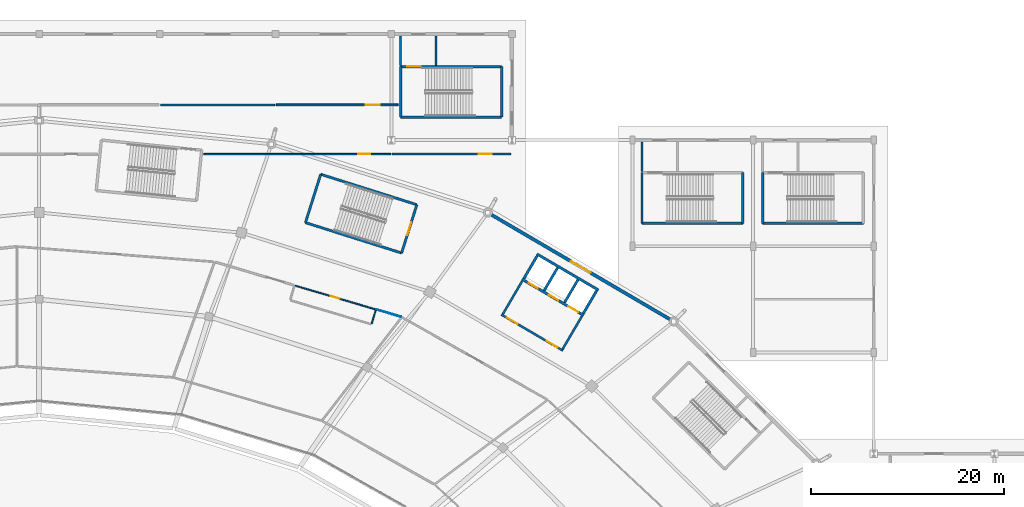
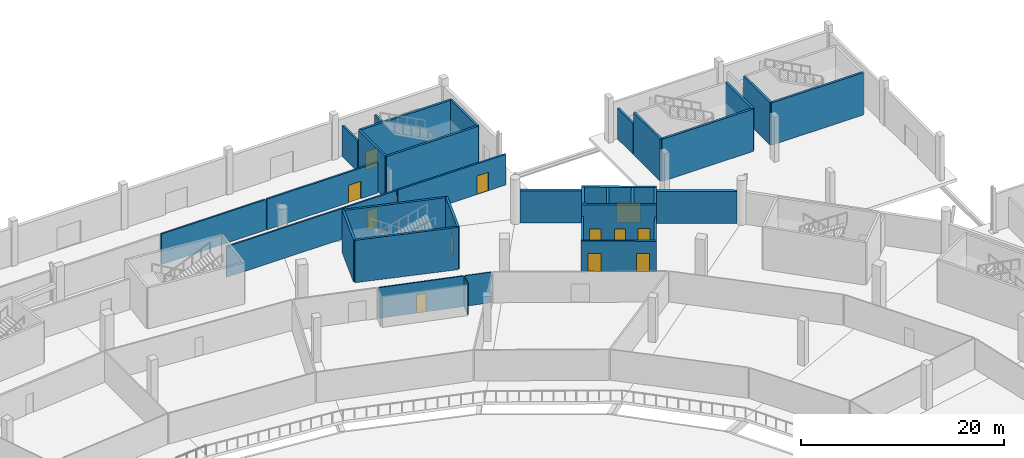
# One storey, part 52 of 82: 33 walls, 12 doors, 12 openings.
"""IFC4 building model written with IfcOpenShell, lengths in metres."""

from ifc_helpers import new_model, si_unit, direction, frame, frame_2d, origin, place, context, subcontext, project, spatial, rectangle, extrude, material, layer, layer_set, type_object, element, fill, save


model = new_model("IFC4")

# Units and contexts
model_context = context("Model", 3, precision=1e-05, world=origin(), true_north=direction((0.0, 1.0)))
body_context = subcontext(model_context, "Body", "Model", "MODEL_VIEW")
ifc_project = project(units=[si_unit("LENGTHUNIT", "METRE"), si_unit("AREAUNIT", "SQUARE_METRE"), si_unit("VOLUMEUNIT", "CUBIC_METRE"), si_unit("PLANEANGLEUNIT", "RADIAN"), si_unit("MASSUNIT", "GRAM", prefix="KILO")], contexts=[model_context])

# Site, building, storey
site_placement = place(None, origin())
site = spatial("IfcSite", under=ifc_project, at=site_placement, CompositionType="ELEMENT")
building_placement = place(site_placement, origin())
building = spatial("IfcBuilding", under=site, at=building_placement, Name="Zlatoyarsky Gate Stadium", CompositionType="ELEMENT")
storey_placement = place(building_placement, origin())
storey = spatial("IfcBuildingStorey", under=building, at=storey_placement, Name="L00", CompositionType="ELEMENT", Elevation=0.0)

# Wall, opening, door
ifc_material_1 = material(Name="Gypsum-clad mineral wool fire partition", Category="gypsum")
ifc_layer_1 = layer(ifc_material_1, 0.199951171875)
ifc_layer_set_1 = layer_set([ifc_layer_1], Name="Gypsum-clad mineral wool fire partition")
wall_type_1 = type_object("IfcWallType", Name="COMPARTMENT FIRE PARTITION WALL 200", PredefinedType="PARTITIONING", material=ifc_layer_set_1)
wall_1_placement = place(storey_placement, frame((147.5849609375, 147.550048828125, 0.0), z_axis=(0.0, 0.0, 1.0), x_axis=(1.0, 0.0, 0.0)))
wall_1 = element("IfcWall", 1, at=wall_1_placement, inside=storey, type_object=wall_type_1, Name="L00 interior partition PRT-L00-V2NC-SE3B", PredefinedType="PARTITIONING", context=body_context, shape_type="SweptSolid", body=[
    extrude(rectangle(XDim=12.31005859375, YDim=0.199951171875, at=frame_2d((6.155029296875, 0.0))), origin(), (0.0, 0.0, 1.0), 3.68994140625),
])
opening_1_placement = place(wall_1_placement, frame((8.9599609375, 0.0, 0.0)))
opening_1 = element("IfcOpeningElement", 2, at=opening_1_placement, cuts=wall_1, Name="Opening D-L00-190", PredefinedType="OPENING", context=body_context, shape_type="SweptSolid", body=[
    extrude(rectangle(XDim=1.340087890625, YDim=2.239990234375, at=frame_2d((0.669921875, 1.1201171875))), frame((0.0, 0.10986328125, 0.0), z_axis=(0.0, -1.0, 0.0), x_axis=(1.0, 0.0, 0.0)), (0.0, 0.0, 1.0), 0.219970703125),
])
ifc_material_2 = material(Name="Powder-coated steel fire door", Category="steel")
door_type_1 = type_object("IfcDoorType", Name="ACOUSTIC INTERIOR DOOR 1340X2240", OperationType="NOTDEFINED", PredefinedType="DOOR", material=ifc_material_2)
door_1_placement = place(opening_1_placement, origin())
door_1 = element("IfcDoor", 3, at=door_1_placement, inside=storey, type_object=door_type_1, Name="L00 room door D-L00-190", OperationType="SINGLE_SWING_RIGHT", OverallHeight=2.239990234375, OverallWidth=1.340087890625, PredefinedType="DOOR", context=body_context, shape_type="SweptSolid", body=[
    extrude(rectangle(XDim=1.340087890625, YDim=2.239990234375, at=frame_2d((0.669921875, 1.1201171875))), frame((0.0, 0.02490234375, 0.0), z_axis=(0.0, -1.0, 0.0), x_axis=(1.0, 0.0, 0.0)), (0.0, 0.0, 1.0), 0.050048828125),
])
fill(opening_1, door_1)

wall_2_placement = place(storey_placement, frame((135.5849609375, 152.64990234375, 0.0), z_axis=(0.0, 0.0, 1.0), x_axis=(1.0, 0.0, 0.0)))
wall_2 = element("IfcWall", 4, at=wall_2_placement, inside=storey, type_object=wall_type_1, Name="L00 interior partition PRT-L00-V2NC-N3_6", PredefinedType="PARTITIONING", context=body_context, shape_type="SweptSolid", body=[
    extrude(rectangle(XDim=12.630126953125, YDim=0.199951171875, at=frame_2d((6.31494140625, 0.0))), origin(), (0.0, 0.0, 1.0), 3.68994140625),
])
opening_2_placement = place(wall_2_placement, frame((9.280029296875, 0.0, 0.0)))
opening_2 = element("IfcOpeningElement", 5, at=opening_2_placement, cuts=wall_2, Name="Opening D-L00-196", PredefinedType="OPENING", context=body_context, shape_type="SweptSolid", body=[
    extrude(rectangle(XDim=1.43994140625, YDim=2.10009765625, at=frame_2d((0.719970703125, 1.050048828125))), frame((0.0, 0.10986328125, 0.0), z_axis=(0.0, -1.0, 0.0), x_axis=(1.0, 0.0, 0.0)), (0.0, 0.0, 1.0), 0.219970703125),
])
door_type_2 = type_object("IfcDoorType", Name="ACOUSTIC INTERIOR DOOR 1440X2100", OperationType="NOTDEFINED", PredefinedType="DOOR", material=ifc_material_2)
door_2_placement = place(opening_2_placement, origin())
door_2 = element("IfcDoor", 6, at=door_2_placement, inside=storey, type_object=door_type_2, Name="L00 room door D-L00-196", OperationType="SINGLE_SWING_RIGHT", OverallHeight=2.10009765625, OverallWidth=1.43994140625, PredefinedType="DOOR", context=body_context, shape_type="SweptSolid", body=[
    extrude(rectangle(XDim=1.43994140625, YDim=2.10009765625, at=frame_2d((0.719970703125, 1.050048828125))), frame((0.0, 0.02490234375, 0.0), z_axis=(0.0, -1.0, 0.0), x_axis=(1.0, 0.0, 0.0)), (0.0, 0.0, 1.0), 0.050048828125),
])
fill(opening_2, door_2)

# Walls
ifc_material_3 = material(Name="Concrete C40/50", Category="concrete")
ifc_layer_2 = layer(ifc_material_3, 0.27001953125)
ifc_layer_set_2 = layer_set([ifc_layer_2], Name="Concrete C40/50")
wall_type_2 = type_object("IfcWallType", Name="CONCRETE LIFT SHAFT SHEAR WALL 270", PredefinedType="SHEAR", material=ifc_layer_set_2)
wall_3_placement = place(storey_placement, frame((168.962646484375, 133.458984375, 0.0), z_axis=(0.0, 0.0, 1.0), x_axis=(-0.862865684113, 0.505433290534, 0.0)))
element("IfcWall", 7, at=wall_3_placement, inside=storey, type_object=wall_type_2, Name="C1 L00 lift shaft rear wall", PredefinedType="SHEAR", context=body_context, shape_type="SweptSolid", body=[
    extrude(rectangle(XDim=7.400146484375, YDim=0.27001953125, at=frame_2d((3.7001953125, 0.0))), origin(), (0.0, 0.0, 1.0), 5.10009765625),
])
for number, where, z_axis, x_axis, name in (
    (8, (168.772705078125, 133.402099609375, 0.0), (0.0, 0.0, 1.0), (-0.505465660416, -0.862846722275, 0.0), "C1 L00 lift shaft left wall"),
    (9, (162.62060546875, 137.006103515625, 0.0), (0.0, 0.0, 1.0), (-0.505465660416, -0.862846722275, 0.0), "C1 L00 lift shaft right wall"),
):
    element("IfcWall", number, at=place(storey_placement, frame(where, z_axis=z_axis, x_axis=x_axis)), inside=storey, type_object=wall_type_2, Name=name, PredefinedType="SHEAR", context=body_context, shape_type="SweptSolid", body=[
        extrude(rectangle(XDim=2.739990234375, YDim=0.27001953125, at=frame_2d((1.3701171875, 0.0))), origin(), (0.0, 0.0, 1.0), 5.10009765625),
    ])
wall_4_placement = place(storey_placement, frame((166.840087890625, 134.5341796875, 0.0), z_axis=(0.0, 0.0, 1.0), x_axis=(-0.505504523015, -0.862823954936, 0.0)))
element("IfcWall", 10, at=wall_4_placement, inside=storey, type_object=wall_type_2, Name="C1 L00 lift shaft divider 1", PredefinedType="SHEAR", context=body_context, shape_type="SweptSolid", body=[
    extrude(rectangle(XDim=2.73974609375, YDim=0.27001953125, at=frame_2d((1.369873046875, 0.0))), origin(), (0.0, 0.0, 1.0), 5.10009765625),
])
wall_5_placement = place(storey_placement, frame((164.72607421875, 135.772705078125, 0.0), z_axis=(0.0, 0.0, 1.0), x_axis=(-0.505465660416, -0.862846722275, 0.0)))
element("IfcWall", 11, at=wall_5_placement, inside=storey, type_object=wall_type_2, Name="C1 L00 lift shaft divider 2", PredefinedType="SHEAR", context=body_context, shape_type="SweptSolid", body=[
    extrude(rectangle(XDim=2.739990234375, YDim=0.27001953125, at=frame_2d((1.3701171875, 0.0))), origin(), (0.0, 0.0, 1.0), 5.10009765625),
])

# Wall, openings, doors
wall_6_placement = place(storey_placement, frame((167.430908203125, 130.844482421875, 0.0), z_axis=(0.0, 0.0, 1.0), x_axis=(-0.862842866418, 0.505472242434, 0.0)))
wall_6 = element("IfcWall", 12, at=wall_6_placement, inside=storey, type_object=wall_type_2, Name="C1 L00 lift landing front wall", PredefinedType="SHEAR", context=body_context, shape_type="SweptSolid", body=[
    extrude(rectangle(XDim=7.39990234375, YDim=0.27001953125, at=frame_2d((3.699951171875, 0.0))), origin(), (0.0, 0.0, 1.0), 5.10009765625),
])
opening_3_placement = place(wall_6_placement, frame((0.64990234375, 0.0, 0.0)))
opening_3 = element("IfcOpeningElement", 13, at=opening_3_placement, cuts=wall_6, Name="Opening LD-FL-01-L00", PredefinedType="OPENING", context=body_context, shape_type="SweptSolid", body=[
    extrude(rectangle(XDim=1.199951171875, YDim=2.25, at=frame_2d((0.60009765625, 1.125))), frame((0.0, 0.14501953125, 0.0), z_axis=(0.0, -1.0, 0.0), x_axis=(1.0, 0.0, 0.0)), (0.0, 0.0, 1.0), 0.2900390625),
])
opening_4_placement = place(wall_6_placement, frame((3.050048828125, 0.0, 0.0)))
opening_4 = element("IfcOpeningElement", 14, at=opening_4_placement, cuts=wall_6, Name="Opening LD-LF-01-L00", PredefinedType="OPENING", context=body_context, shape_type="SweptSolid", body=[
    extrude(rectangle(XDim=1.10009765625, YDim=2.199951171875, at=frame_2d((0.550048828125, 1.10009765625))), frame((0.0, 0.14501953125, 0.0), z_axis=(0.0, -1.0, 0.0), x_axis=(1.0, 0.0, 0.0)), (0.0, 0.0, 1.0), 0.2900390625),
])
opening_5_placement = place(wall_6_placement, frame((5.5, 0.0, 0.0)))
opening_5 = element("IfcOpeningElement", 15, at=opening_5_placement, cuts=wall_6, Name="Opening LD-LF-02-L00", PredefinedType="OPENING", context=body_context, shape_type="SweptSolid", body=[
    extrude(rectangle(XDim=1.10009765625, YDim=2.199951171875, at=frame_2d((0.550048828125, 1.10009765625))), frame((0.0, 0.14501953125, 0.0), z_axis=(0.0, -1.0, 0.0), x_axis=(1.0, 0.0, 0.0)), (0.0, 0.0, 1.0), 0.2900390625),
])
door_type_3 = type_object("IfcDoorType", Name="STAINLESS LIFT LANDING SLIDING DOOR 1100X2200", OperationType="DOUBLE_DOOR_SLIDING", PredefinedType="DOOR", material=ifc_material_2)
door_3_placement = place(opening_4_placement, origin())
door_3 = element("IfcDoor", 16, at=door_3_placement, inside=storey, type_object=door_type_3, Name="Lift LF-01 L00 sliding landing door", OperationType="DOUBLE_DOOR_SLIDING", OverallHeight=2.199951171875, OverallWidth=1.10009765625, PredefinedType="DOOR", context=body_context, shape_type="SweptSolid", body=[
    extrude(rectangle(XDim=1.10009765625, YDim=2.199951171875, at=frame_2d((0.550048828125, 1.10009765625))), frame((0.0, 0.02490234375, 0.0), z_axis=(0.0, -1.0, 0.0), x_axis=(1.0, 0.0, 0.0)), (0.0, 0.0, 1.0), 0.050048828125),
])
fill(opening_4, door_3)
door_4_placement = place(opening_5_placement, origin())
door_4 = element("IfcDoor", 17, at=door_4_placement, inside=storey, type_object=door_type_3, Name="Lift LF-02 L00 sliding landing door", OperationType="DOUBLE_DOOR_SLIDING", OverallHeight=2.199951171875, OverallWidth=1.10009765625, PredefinedType="DOOR", context=body_context, shape_type="SweptSolid", body=[
    extrude(rectangle(XDim=1.10009765625, YDim=2.199951171875, at=frame_2d((0.550048828125, 1.10009765625))), frame((0.0, 0.02490234375, 0.0), z_axis=(0.0, -1.0, 0.0), x_axis=(1.0, 0.0, 0.0)), (0.0, 0.0, 1.0), 0.050048828125),
])
fill(opening_5, door_4)
door_type_4 = type_object("IfcDoorType", Name="STAINLESS LIFT LANDING SLIDING DOOR 1200X2250", OperationType="DOUBLE_DOOR_SLIDING", PredefinedType="DOOR", material=ifc_material_2)
door_5_placement = place(opening_3_placement, origin())
door_5 = element("IfcDoor", 18, at=door_5_placement, inside=storey, type_object=door_type_4, Name="Lift FL-01 L00 sliding landing door", OperationType="DOUBLE_DOOR_SLIDING", OverallHeight=2.25, OverallWidth=1.199951171875, PredefinedType="DOOR", context=body_context, shape_type="SweptSolid", body=[
    extrude(rectangle(XDim=1.199951171875, YDim=2.25, at=frame_2d((0.60009765625, 1.125))), frame((0.0, 0.02490234375, 0.0), z_axis=(0.0, -1.0, 0.0), x_axis=(1.0, 0.0, 0.0)), (0.0, 0.0, 1.0), 0.050048828125),
])
fill(opening_3, door_5)

# Wall, opening, door
ifc_layer_3 = layer(ifc_material_3, 0.25)
ifc_layer_set_3 = layer_set([ifc_layer_3], Name="Concrete C40/50")
wall_type_3 = type_object("IfcWallType", Name="CONCRETE STAIR CORE SHEAR WALL 250", PredefinedType="SHEAR", material=ifc_layer_set_3)
wall_7_placement = place(storey_placement, frame((148.563232421875, 137.30126953125, 0.0), z_axis=(0.0, 0.0, 1.0), x_axis=(0.30152749866, 0.953457480726, 0.0)))
wall_7 = element("IfcWall", 19, at=wall_7_placement, inside=storey, type_object=wall_type_3, Name="ST-03 L00 stair core entrance shear wall", PredefinedType="SHEAR", context=body_context, shape_type="SweptSolid", body=[
    extrude(rectangle(XDim=5.25, YDim=0.25, at=frame_2d((2.625, 0.0))), origin(), (0.0, 0.0, 1.0), 5.10009765625),
])
opening_6_placement = place(wall_7_placement, frame((1.925048828125, 0.0, 0.0)))
opening_6 = element("IfcOpeningElement", 20, at=opening_6_placement, cuts=wall_7, Name="Opening SD-ST-03-L00", PredefinedType="OPENING", context=body_context, shape_type="SweptSolid", body=[
    extrude(rectangle(XDim=1.39990234375, YDim=2.199951171875, at=frame_2d((0.699951171875, 1.10009765625))), frame((0.0, 0.135009765625, 0.0), z_axis=(0.0, -1.0, 0.0), x_axis=(1.0, 0.0, 0.0)), (0.0, 0.0, 1.0), 0.27001953125),
])
door_type_5 = type_object("IfcDoorType", Name="STAIR CORE FIRE EXIT DOOR 1400X2200", OperationType="NOTDEFINED", PredefinedType="DOOR", material=ifc_material_2)
door_6_placement = place(opening_6_placement, frame((1.39990234375, 0.0, 0.0), z_axis=(0.0, 0.0, 1.0), x_axis=(-1.0, 0.0, 0.0)))
door_6 = element("IfcDoor", 21, at=door_6_placement, inside=storey, type_object=door_type_5, Name="ST-03 L00 stair fire door", OperationType="SINGLE_SWING_LEFT", OverallHeight=2.199951171875, OverallWidth=1.39990234375, PredefinedType="DOOR", context=body_context, shape_type="SweptSolid", body=[
    extrude(rectangle(XDim=1.39990234375, YDim=2.199951171875, at=frame_2d((0.699951171875, 1.10009765625))), frame((0.0, 0.02490234375, 0.0), z_axis=(0.0, -1.0, 0.0), x_axis=(1.0, 0.0, 0.0)), (0.0, 0.0, 1.0), 0.050048828125),
])
fill(opening_6, door_6)

# Walls
wall_8_placement = place(storey_placement, frame((150.146240234375, 142.306884765625, 0.0), z_axis=(0.0, 0.0, 1.0), x_axis=(-0.953461834254, 0.301513732061, 0.0)))
element("IfcWall", 22, at=wall_8_placement, inside=storey, type_object=wall_type_3, Name="ST-03 L00 stair core left shear wall", PredefinedType="SHEAR", context=body_context, shape_type="SweptSolid", body=[
    extrude(rectangle(XDim=10.4501953125, YDim=0.25, at=frame_2d((5.22509765625, 0.0))), origin(), (0.0, 0.0, 1.0), 5.10009765625),
])
wall_9_placement = place(storey_placement, frame((140.182373046875, 145.457763671875, 0.0), z_axis=(0.0, 0.0, 1.0), x_axis=(-0.301485222482, -0.953470849384, 0.0)))
element("IfcWall", 23, at=wall_9_placement, inside=storey, type_object=wall_type_3, Name="ST-03 L00 stair core far shear wall", PredefinedType="SHEAR", context=body_context, shape_type="SweptSolid", body=[
    extrude(rectangle(XDim=5.25, YDim=0.25, at=frame_2d((2.625, 0.0))), origin(), (0.0, 0.0, 1.0), 5.10009765625),
])
wall_10_placement = place(storey_placement, frame((138.599609375, 140.4521484375, 0.0), z_axis=(0.0, 0.0, 1.0), x_axis=(0.953459710305, -0.301520448438, 0.0)))
element("IfcWall", 24, at=wall_10_placement, inside=storey, type_object=wall_type_3, Name="ST-03 L00 stair core right shear wall", PredefinedType="SHEAR", context=body_context, shape_type="SweptSolid", body=[
    extrude(rectangle(XDim=10.449951171875, YDim=0.25, at=frame_2d((5.22509765625, 0.0))), origin(), (0.0, 0.0, 1.0), 5.10009765625),
])
wall_11_placement = place(storey_placement, frame((173.47509765625, 145.625, 0.0), z_axis=(0.0, 0.0, 1.0), x_axis=(0.0, -1.0, 0.0)))
element("IfcWall", 25, at=wall_11_placement, inside=storey, type_object=wall_type_3, Name="ST-27 L00 stair core entrance shear wall", PredefinedType="SHEAR", context=body_context, shape_type="SweptSolid", body=[
    extrude(rectangle(XDim=5.25, YDim=0.25, at=frame_2d((2.625, 0.0))), origin(), (0.0, 0.0, 1.0), 5.10009765625),
])
wall_12_placement = place(storey_placement, frame((173.47509765625, 140.375, 0.0), z_axis=(0.0, 0.0, 1.0), x_axis=(1.0, 0.0, 0.0)))
element("IfcWall", 26, at=wall_12_placement, inside=storey, type_object=wall_type_3, Name="ST-27 L00 stair core left shear wall", PredefinedType="SHEAR", context=body_context, shape_type="SweptSolid", body=[
    extrude(rectangle(XDim=10.449951171875, YDim=0.25, at=frame_2d((5.22509765625, 0.0))), origin(), (0.0, 0.0, 1.0), 5.10009765625),
])
for number, where, z_axis, x_axis, name in (
    (27, (183.925048828125, 140.375, 0.0), (0.0, 0.0, 1.0), (0.0, 1.0, 0.0), "ST-27 L00 stair core far shear wall"),
    (28, (185.97509765625, 145.625, 0.0), (0.0, 0.0, 1.0), (0.0, -1.0, 0.0), "ST-28 L00 stair core entrance shear wall"),
):
    element("IfcWall", number, at=place(storey_placement, frame(where, z_axis=z_axis, x_axis=x_axis)), inside=storey, type_object=wall_type_3, Name=name, PredefinedType="SHEAR", context=body_context, shape_type="SweptSolid", body=[
        extrude(rectangle(XDim=5.25, YDim=0.25, at=frame_2d((2.625, 0.0))), origin(), (0.0, 0.0, 1.0), 5.10009765625),
    ])
wall_13_placement = place(storey_placement, frame((185.97509765625, 140.375, 0.0), z_axis=(0.0, 0.0, 1.0), x_axis=(1.0, 0.0, 0.0)))
element("IfcWall", 29, at=wall_13_placement, inside=storey, type_object=wall_type_3, Name="ST-28 L00 stair core left shear wall", PredefinedType="SHEAR", context=body_context, shape_type="SweptSolid", body=[
    extrude(rectangle(XDim=10.449951171875, YDim=0.25, at=frame_2d((5.22509765625, 0.0))), origin(), (0.0, 0.0, 1.0), 5.10009765625),
])
wall_14_placement = place(storey_placement, frame((148.47509765625, 156.625, 0.0), z_axis=(0.0, 0.0, 1.0), x_axis=(0.0, -1.0, 0.0)))
element("IfcWall", 30, at=wall_14_placement, inside=storey, type_object=wall_type_3, Name="ST-32 L00 stair core entrance shear wall", PredefinedType="SHEAR", context=body_context, shape_type="SweptSolid", body=[
    extrude(rectangle(XDim=5.25, YDim=0.25, at=frame_2d((2.625, 0.0))), origin(), (0.0, 0.0, 1.0), 5.10009765625),
])
wall_15_placement = place(storey_placement, frame((148.47509765625, 151.375, 0.0), z_axis=(0.0, 0.0, 1.0), x_axis=(1.0, 0.0, 0.0)))
element("IfcWall", 31, at=wall_15_placement, inside=storey, type_object=wall_type_3, Name="ST-32 L00 stair core left shear wall", PredefinedType="SHEAR", context=body_context, shape_type="SweptSolid", body=[
    extrude(rectangle(XDim=10.449951171875, YDim=0.25, at=frame_2d((5.22509765625, 0.0))), origin(), (0.0, 0.0, 1.0), 5.10009765625),
])
wall_16_placement = place(storey_placement, frame((158.925048828125, 151.375, 0.0), z_axis=(0.0, 0.0, 1.0), x_axis=(0.0, 1.0, 0.0)))
element("IfcWall", 32, at=wall_16_placement, inside=storey, type_object=wall_type_3, Name="ST-32 L00 stair core far shear wall", PredefinedType="SHEAR", context=body_context, shape_type="SweptSolid", body=[
    extrude(rectangle(XDim=5.25, YDim=0.25, at=frame_2d((2.625, 0.0))), origin(), (0.0, 0.0, 1.0), 5.10009765625),
])

# Wall, opening, door
wall_17_placement = place(storey_placement, frame((158.925048828125, 156.625, 0.0), z_axis=(0.0, 0.0, 1.0), x_axis=(-1.0, 0.0, 0.0)))
wall_17 = element("IfcWall", 33, at=wall_17_placement, inside=storey, type_object=wall_type_3, Name="ST-32 L00 stair core right shear wall", PredefinedType="SHEAR", context=body_context, shape_type="SweptSolid", body=[
    extrude(rectangle(XDim=10.449951171875, YDim=0.25, at=frame_2d((5.22509765625, 0.0))), origin(), (0.0, 0.0, 1.0), 5.10009765625),
])
opening_7_placement = place(wall_17_placement, frame((8.39990234375, 0.0, 0.0)))
opening_7 = element("IfcOpeningElement", 34, at=opening_7_placement, cuts=wall_17, Name="Opening SD-ST-32-L00", PredefinedType="OPENING", context=body_context, shape_type="SweptSolid", body=[
    extrude(rectangle(XDim=1.39990234375, YDim=2.199951171875, at=frame_2d((0.699951171875, 1.10009765625))), frame((0.0, 0.135009765625, 0.0), z_axis=(0.0, -1.0, 0.0), x_axis=(1.0, 0.0, 0.0)), (0.0, 0.0, 1.0), 0.27001953125),
])
door_7_placement = place(opening_7_placement, frame((1.39990234375, 0.0, 0.0), z_axis=(0.0, 0.0, 1.0), x_axis=(-1.0, 0.0, 0.0)))
door_7 = element("IfcDoor", 35, at=door_7_placement, inside=storey, type_object=door_type_5, Name="ST-32 L00 protected exit discharge fire door", OperationType="SINGLE_SWING_LEFT", OverallHeight=2.199951171875, OverallWidth=1.39990234375, PredefinedType="DOOR", context=body_context, shape_type="SweptSolid", body=[
    extrude(rectangle(XDim=1.39990234375, YDim=2.199951171875, at=frame_2d((0.699951171875, 1.10009765625))), frame((0.0, 0.02490234375, 0.0), z_axis=(0.0, -1.0, 0.0), x_axis=(1.0, 0.0, 0.0)), (0.0, 0.0, 1.0), 0.050048828125),
])
fill(opening_7, door_7)

# Walls
ifc_material_4 = material(Name="Autoclaved aerated concrete masonry EI 120", Category="masonry")
ifc_layer_4 = layer(ifc_material_4, 0.219970703125)
ifc_layer_set_4 = layer_set([ifc_layer_4], Name="Autoclaved aerated concrete masonry EI 120")
wall_type_4 = type_object("IfcWallType", Name="FIREFIGHTING LOBBY RATED WALL 220", PredefinedType="PARTITIONING", material=ifc_layer_set_4)
for number, where, z_axis, x_axis, name in (
    (36, (173.4599609375, 145.760009765625, 0.0), (0.0, 0.0, 1.0), (0.0, 1.0, 0.0), "ST-27 L00 protected exit lobby EI 120 wall 1"),
    (37, (148.4599609375, 156.760009765625, 0.0), (0.0, 0.0, 1.0), (0.0, 1.0, 0.0), "ST-32 L00 protected exit lobby EI 120 wall 1"),
    (38, (152.139892578125, 156.760009765625, 0.0), (0.0, 0.0, 1.0), (0.0, 1.0, 0.0), "ST-32 L00 protected exit lobby EI 120 wall 2"),
):
    element("IfcWall", number, at=place(storey_placement, frame(where, z_axis=z_axis, x_axis=x_axis)), inside=storey, type_object=wall_type_4, Name=name, PredefinedType="PARTITIONING", context=body_context, shape_type="SweptSolid", body=[
        extrude(rectangle(XDim=3.050048828125, YDim=0.219970703125, at=frame_2d((1.52490234375, 0.0))), origin(), (0.0, 0.0, 1.0), 3.68994140625),
    ])
for number, where, z_axis, x_axis, name in (
    (39, (167.2578125, 130.766357421875, 0.0), (0.0, 0.0, 1.0), (-0.505464443681, -0.862847435051, 0.0), "C1 L00 firefighting lobby left wall"),
    (40, (161.0625, 134.3955078125, 0.0), (0.0, 0.0, 1.0), (-0.505464443681, -0.862847435051, 0.0), "C1 L00 firefighting lobby right wall"),
):
    element("IfcWall", number, at=place(storey_placement, frame(where, z_axis=z_axis, x_axis=x_axis)), inside=storey, type_object=wall_type_4, Name=name, PredefinedType="PARTITIONING", context=body_context, shape_type="SweptSolid", body=[
        extrude(rectangle(XDim=3.97998046875, YDim=0.219970703125, at=frame_2d((1.989990234375, 0.0))), origin(), (0.0, 0.0, 1.0), 3.68994140625),
    ])

# Wall, openings, doors
wall_18_placement = place(storey_placement, frame((165.285400390625, 127.181640625, 0.0), z_axis=(0.0, 0.0, 1.0), x_axis=(-0.862851295616, 0.505457853488, 0.0)))
wall_18 = element("IfcWall", 41, at=wall_18_placement, inside=storey, type_object=wall_type_4, Name="C1 L00 firefighting lobby front wall", PredefinedType="PARTITIONING", context=body_context, shape_type="SweptSolid", body=[
    extrude(rectangle(XDim=7.400146484375, YDim=0.219970703125, at=frame_2d((3.7001953125, 0.0))), origin(), (0.0, 0.0, 1.0), 3.68994140625),
])
opening_8_placement = place(wall_18_placement, frame((0.64990234375, 0.0, 0.0)))
opening_8 = element("IfcOpeningElement", 42, at=opening_8_placement, cuts=wall_18, Name="Opening FD-C1-L00-A", PredefinedType="OPENING", context=body_context, shape_type="SweptSolid", body=[
    extrude(rectangle(XDim=1.300048828125, YDim=2.199951171875, at=frame_2d((0.64990234375, 1.10009765625))), frame((0.0, 0.119873046875, 0.0), z_axis=(0.0, -1.0, 0.0), x_axis=(1.0, 0.0, 0.0)), (0.0, 0.0, 1.0), 0.239990234375),
])
opening_9_placement = place(wall_18_placement, frame((5.449951171875, 0.0, 0.0)))
opening_9 = element("IfcOpeningElement", 43, at=opening_9_placement, cuts=wall_18, Name="Opening FD-C1-L00-B", PredefinedType="OPENING", context=body_context, shape_type="SweptSolid", body=[
    extrude(rectangle(XDim=1.300048828125, YDim=2.199951171875, at=frame_2d((0.64990234375, 1.10009765625))), frame((0.0, 0.119873046875, 0.0), z_axis=(0.0, -1.0, 0.0), x_axis=(1.0, 0.0, 0.0)), (0.0, 0.0, 1.0), 0.239990234375),
])
door_type_6 = type_object("IfcDoorType", Name="FIREFIGHTING LOBBY FIRE DOOR 1300X2200", OperationType="NOTDEFINED", PredefinedType="DOOR", material=ifc_material_2)
door_8_placement = place(opening_8_placement, origin())
door_8 = element("IfcDoor", 44, at=door_8_placement, inside=storey, type_object=door_type_6, Name="C1 L00 firefighting lobby fire door FD-C1-L00-A", OperationType="SINGLE_SWING_LEFT", OverallHeight=2.199951171875, OverallWidth=1.300048828125, PredefinedType="DOOR", context=body_context, shape_type="SweptSolid", body=[
    extrude(rectangle(XDim=1.300048828125, YDim=2.199951171875, at=frame_2d((0.64990234375, 1.10009765625))), frame((0.0, 0.02490234375, 0.0), z_axis=(0.0, -1.0, 0.0), x_axis=(1.0, 0.0, 0.0)), (0.0, 0.0, 1.0), 0.050048828125),
])
fill(opening_8, door_8)
door_9_placement = place(opening_9_placement, origin())
door_9 = element("IfcDoor", 45, at=door_9_placement, inside=storey, type_object=door_type_6, Name="C1 L00 firefighting lobby fire door FD-C1-L00-B", OperationType="SINGLE_SWING_RIGHT", OverallHeight=2.199951171875, OverallWidth=1.300048828125, PredefinedType="DOOR", context=body_context, shape_type="SweptSolid", body=[
    extrude(rectangle(XDim=1.300048828125, YDim=2.199951171875, at=frame_2d((0.64990234375, 1.10009765625))), frame((0.0, 0.02490234375, 0.0), z_axis=(0.0, -1.0, 0.0), x_axis=(1.0, 0.0, 0.0)), (0.0, 0.0, 1.0), 0.050048828125),
])
fill(opening_9, door_9)

# Wall
ifc_material_5 = material(Name="Timber-veneered acoustic operable partition", Category="wood")
ifc_layer_5 = layer(ifc_material_5, 0.094970703125)
ifc_layer_set_5 = layer_set([ifc_layer_5], Name="Timber-veneered acoustic operable partition")
wall_type_5 = type_object("IfcWallType", Name="FOLDING BANQUET SALON WALL 95", PredefinedType="MOVABLE", material=ifc_layer_set_5)
wall_19_placement = place(storey_placement, frame((148.507568359375, 130.681396484375, 0.0), z_axis=(0.0, 0.0, 1.0), x_axis=(-0.959084181635, 0.283121056329, 0.0)))
element("IfcWall", 46, at=wall_19_placement, inside=storey, type_object=wall_type_5, Name="L00 interior partition PRT-L00-WCL-04", PredefinedType="MOVABLE", context=body_context, shape_type="SweptSolid", body=[
    extrude(rectangle(XDim=2.630126953125, YDim=0.094970703125, at=frame_2d((1.31494140625, 0.0))), origin(), (0.0, 0.0, 1.0), 3.68994140625),
])

# Wall, opening, door
ifc_material_6 = material(Name="Limestone-faced insulated masonry wall", Category="masonry")
ifc_layer_6 = layer(ifc_material_6, 0.340087890625)
ifc_layer_set_6 = layer_set([ifc_layer_6], Name="Limestone-faced insulated masonry wall")
wall_type_6 = type_object("IfcWallType", Name="LIMESTONE GATE PLINTH WALL 340", PredefinedType="STANDARD", material=ifc_layer_set_6)
wall_20_placement = place(storey_placement, frame((176.364013671875, 130.43701171875, 0.0), z_axis=(0.0, 0.0, 1.0), x_axis=(-0.862843632099, 0.505470935413, 0.0)))
wall_20 = element("IfcWall", 47, at=wall_20_placement, inside=storey, type_object=wall_type_6, Name="L00 bowl exterior plinth wall sector 03", PredefinedType="STANDARD", context=body_context, shape_type="SweptSolid", body=[
    extrude(rectangle(XDim=21.402587890625, YDim=0.340087890625, at=frame_2d((10.701171875, 0.0))), origin(), (0.0, 0.0, 1.0), 3.85009765625),
])
opening_10_placement = place(wall_20_placement, frame((9.5263671875, 0.0, 0.0)))
opening_10 = element("IfcOpeningElement", 48, at=opening_10_placement, cuts=wall_20, Name="Opening G03", PredefinedType="OPENING", context=body_context, shape_type="SweptSolid", body=[
    extrude(rectangle(XDim=2.35009765625, YDim=2.39990234375, at=frame_2d((1.175048828125, 1.199951171875))), frame((0.0, 0.179931640625, 0.0), z_axis=(0.0, -1.0, 0.0), x_axis=(1.0, 0.0, 0.0)), (0.0, 0.0, 1.0), 0.360107421875),
])
ifc_material_7 = material(Name="Thermally broken powder-coated steel and laminated safety glass", Category="steel")
door_type_7 = type_object("IfcDoorType", Name="PEDESTRIAN FINAL EXIT DOUBLE DOOR 2350X2400", OperationType="DOUBLE_DOOR_SINGLE_SWING", PredefinedType="DOOR", material=ifc_material_7)
door_10_placement = place(opening_10_placement, frame((2.35009765625, 0.0, 0.0), z_axis=(0.0, 0.0, 1.0), x_axis=(-1.0, 0.0, 0.0)))
door_10 = element("IfcDoor", 49, at=door_10_placement, inside=storey, type_object=door_type_7, Name="Pedestrian exit gate G03", OperationType="DOUBLE_DOOR_SINGLE_SWING", OverallHeight=2.39990234375, OverallWidth=2.35009765625, PredefinedType="DOOR", context=body_context, shape_type="SweptSolid", body=[
    extrude(rectangle(XDim=2.35009765625, YDim=2.39990234375, at=frame_2d((1.175048828125, 1.199951171875))), frame((0.0, 0.02490234375, 0.0), z_axis=(0.0, -1.0, 0.0), x_axis=(1.0, 0.0, 0.0)), (0.0, 0.0, 1.0), 0.050048828125),
])
fill(opening_10, door_10)

ifc_layer_7 = layer(ifc_material_1, 0.179931640625)
ifc_layer_set_7 = layer_set([ifc_layer_7], Name="Gypsum-clad mineral wool fire partition")
wall_type_7 = type_object("IfcWallType", Name="PLANT AND KITCHEN RATED WALL 180", PredefinedType="PARTITIONING", material=ifc_layer_set_7)
wall_21_placement = place(storey_placement, frame((128.064208984375, 147.550048828125, 0.0), z_axis=(0.0, 0.0, 1.0), x_axis=(1.0, 0.0, 0.0)))
wall_21 = element("IfcWall", 50, at=wall_21_placement, inside=storey, type_object=wall_type_7, Name="L00 interior partition PRT-L00-V2NC-SE3A", PredefinedType="PARTITIONING", context=body_context, shape_type="SweptSolid", body=[
    extrude(rectangle(XDim=19.350830078125, YDim=0.179931640625, at=frame_2d((9.67529296875, 0.0))), origin(), (0.0, 0.0, 1.0), 3.68994140625),
])
opening_11_placement = place(wall_21_placement, frame((16.0009765625, 0.0, 0.0)))
opening_11 = element("IfcOpeningElement", 51, at=opening_11_placement, cuts=wall_21, Name="Opening D-L00-189", PredefinedType="OPENING", context=body_context, shape_type="SweptSolid", body=[
    extrude(rectangle(XDim=1.239990234375, YDim=2.3798828125, at=frame_2d((0.6201171875, 1.18994140625))), frame((0.0, 0.099853515625, 0.0), z_axis=(0.0, -1.0, 0.0), x_axis=(1.0, 0.0, 0.0)), (0.0, 0.0, 1.0), 0.199951171875),
])
door_type_8 = type_object("IfcDoorType", Name="ACOUSTIC INTERIOR DOOR 1240X2380", OperationType="NOTDEFINED", PredefinedType="DOOR", material=ifc_material_2)
door_11_placement = place(opening_11_placement, origin())
door_11 = element("IfcDoor", 52, at=door_11_placement, inside=storey, type_object=door_type_8, Name="L00 room door D-L00-189", OperationType="SINGLE_SWING_LEFT", OverallHeight=2.3798828125, OverallWidth=1.239990234375, PredefinedType="DOOR", context=body_context, shape_type="SweptSolid", body=[
    extrude(rectangle(XDim=1.239990234375, YDim=2.3798828125, at=frame_2d((0.6201171875, 1.18994140625))), frame((0.0, 0.02490234375, 0.0), z_axis=(0.0, -1.0, 0.0), x_axis=(1.0, 0.0, 0.0)), (0.0, 0.0, 1.0), 0.050048828125),
])
fill(opening_11, door_11)

# Wall
wall_22_placement = place(storey_placement, frame((123.5849609375, 152.64990234375, 0.0), z_axis=(0.0, 0.0, 1.0), x_axis=(1.0, 0.0, 0.0)))
element("IfcWall", 53, at=wall_22_placement, inside=storey, type_object=wall_type_7, Name="L00 interior partition PRT-L00-V2NC-N3_5", PredefinedType="PARTITIONING", context=body_context, shape_type="SweptSolid", body=[
    extrude(rectangle(XDim=11.830078125, YDim=0.179931640625, at=frame_2d((5.9150390625, 0.0))), origin(), (0.0, 0.0, 1.0), 3.68994140625),
])

# Wall, opening, door
ifc_material_8 = material(Name="Moisture-resistant tile-backed partition", Category="gypsum")
ifc_layer_8 = layer(ifc_material_8, 0.1298828125)
ifc_layer_set_8 = layer_set([ifc_layer_8], Name="Moisture-resistant tile-backed partition")
wall_type_8 = type_object("IfcWallType", Name="SANITARY WET ROOM PARTITION 130", PredefinedType="PARTITIONING", material=ifc_layer_set_8)
wall_23_placement = place(storey_placement, frame((145.822021484375, 131.47412109375, 0.0), z_axis=(0.0, 0.0, 1.0), x_axis=(-0.959075342625, 0.283150997119, 0.0)))
wall_23 = element("IfcWall", 54, at=wall_23_placement, inside=storey, type_object=wall_type_8, Name="L00 interior partition PRT-L00-WC04-F", PredefinedType="PARTITIONING", context=body_context, shape_type="SweptSolid", body=[
    extrude(rectangle(XDim=8.630126953125, YDim=0.1298828125, at=frame_2d((4.31494140625, 0.0))), origin(), (0.0, 0.0, 1.0), 3.68994140625),
])
opening_12_placement = place(wall_23_placement, frame((3.8349609375, 0.0, 0.0)))
opening_12 = element("IfcOpeningElement", 55, at=opening_12_placement, cuts=wall_23, Name="Opening D-L00-115", PredefinedType="OPENING", context=body_context, shape_type="SweptSolid", body=[
    extrude(rectangle(XDim=0.9599609375, YDim=2.239990234375, at=frame_2d((0.47998046875, 1.1201171875))), frame((0.0, 0.074951171875, 0.0), z_axis=(0.0, -1.0, 0.0), x_axis=(1.0, 0.0, 0.0)), (0.0, 0.0, 1.0), 0.14990234375),
])
ifc_material_9 = material(Name="Solid-core oak veneer acoustic door", Category="wood")
door_type_9 = type_object("IfcDoorType", Name="ACOUSTIC INTERIOR DOOR 960X2240", OperationType="NOTDEFINED", PredefinedType="DOOR", material=ifc_material_9)
door_12_placement = place(opening_12_placement, origin())
door_12 = element("IfcDoor", 56, at=door_12_placement, inside=storey, type_object=door_type_9, Name="L00 room door D-L00-115", OperationType="SINGLE_SWING_RIGHT", OverallHeight=2.239990234375, OverallWidth=0.9599609375, PredefinedType="DOOR", context=body_context, shape_type="SweptSolid", body=[
    extrude(rectangle(XDim=0.9599609375, YDim=2.239990234375, at=frame_2d((0.47998046875, 1.1201171875))), frame((0.0, 0.02490234375, 0.0), z_axis=(0.0, -1.0, 0.0), x_axis=(1.0, 0.0, 0.0)), (0.0, 0.0, 1.0), 0.050048828125),
])
fill(opening_12, door_12)

# Wall
wall_24_placement = place(storey_placement, frame((145.87939453125, 131.36865234375, 0.0), z_axis=(0.0, 0.0, 1.0), x_axis=(-0.283053511572, -0.95910411822, 0.0)))
element("IfcWall", 57, at=wall_24_placement, inside=storey, type_object=wall_type_8, Name="L00 interior partition PRT-L00-WC04-L", PredefinedType="PARTITIONING", context=body_context, shape_type="SweptSolid", body=[
    extrude(rectangle(XDim=1.43017578125, YDim=0.1298828125, at=frame_2d((0.715087890625, 0.0))), origin(), (0.0, 0.0, 1.0), 3.68994140625),
])

save(model, "model.ifc")
